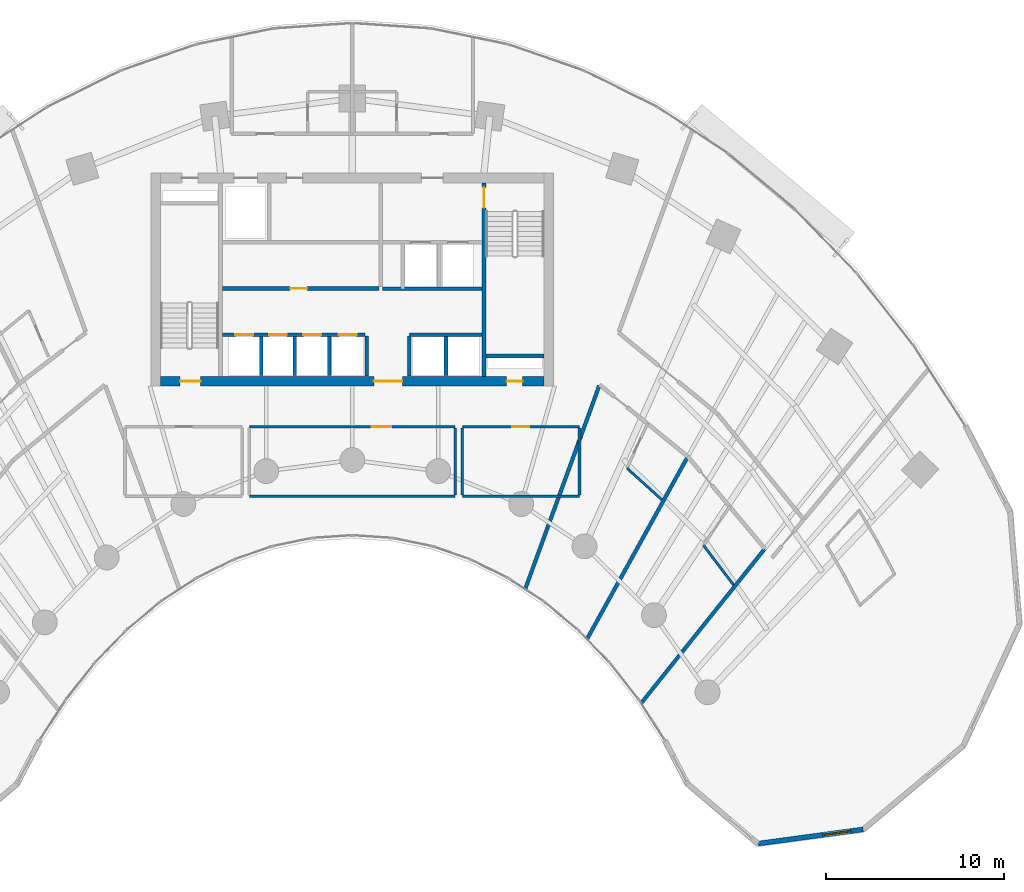
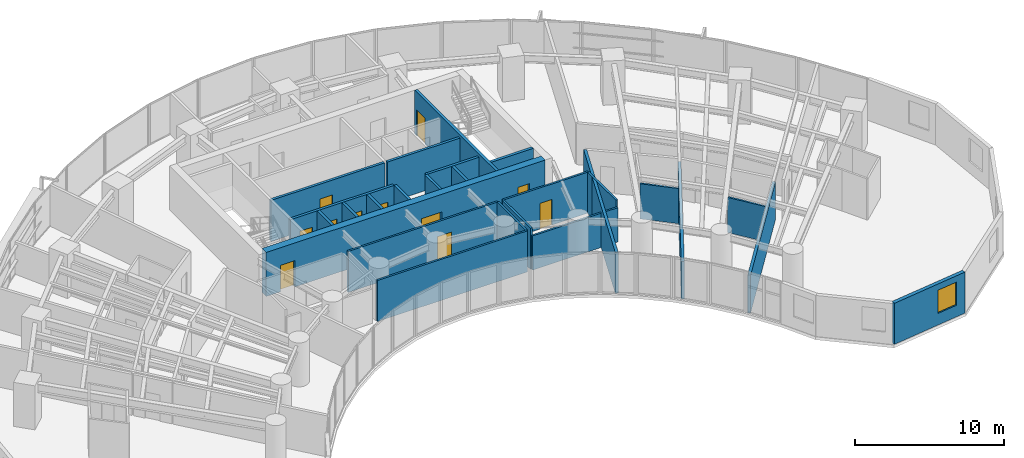
# One storey, part 12 of 17: 26 walls, 11 doors, 1 window, 12 openings.
"""IFC4 building model written with IfcOpenShell, lengths in metres."""

from ifc_helpers import new_model, si_unit, direction, frame, frame_2d, origin, place, context, subcontext, project, spatial, rectangle, extrude, source, transform, mapped, material, layer, layer_set, type_object, type_shapes, element, fill, save


model = new_model("IFC4")

# Units and contexts
model_context = context("Model", 3, precision=1e-05, world=origin(), true_north=direction((0.0, 1.0)))
body_context = subcontext(model_context, "Body", "Model", "MODEL_VIEW")
ifc_project = project(units=[si_unit("LENGTHUNIT", "METRE"), si_unit("AREAUNIT", "SQUARE_METRE"), si_unit("VOLUMEUNIT", "CUBIC_METRE"), si_unit("PLANEANGLEUNIT", "RADIAN"), si_unit("MASSUNIT", "GRAM", prefix="KILO")], contexts=[model_context])

# Site, building, storey
site_placement = place(None, origin())
site = spatial("IfcSite", under=ifc_project, at=site_placement, CompositionType="ELEMENT")
building_placement = place(site_placement, origin())
building = spatial("IfcBuilding", under=site, at=building_placement, Name="Breltana Convention Tower", CompositionType="ELEMENT")
storey_placement = place(building_placement, frame((0.0, 0.0, 67.800048828125)))
storey = spatial("IfcBuildingStorey", under=building, at=storey_placement, Name="L15", CompositionType="ELEMENT", Elevation=67.800048828125)

# Wall, openings, doors
ifc_material_1 = material(Name="Concrete C60/75", Category="concrete")
ifc_layer_1 = layer(ifc_material_1, 0.550048828125, Name="Concrete C60/75")
ifc_layer_set_1 = layer_set([ifc_layer_1], Name="Concrete C60/75")
wall_type_1 = type_object("IfcWallType", Name="SW-CORE-550", PredefinedType="SHEAR", material=ifc_layer_set_1)
shared_shape_1 = source(origin(), body_context, "Body", "SweptSolid", [
    extrude(rectangle(XDim=21.60009765625, YDim=0.550048828125, at=frame_2d((10.800048828125, 0.0))), origin(), (0.0, 0.0, 1.0), 3.599853515625),
])
wall_1_placement = place(storey_placement, frame((37.199951171875, 60.47509765625, 0.0), z_axis=(0.0, 0.0, 1.0), x_axis=(1.0, 0.0, 0.0)))
wall_1 = element("IfcWall", 1, at=wall_1_placement, inside=storey, type_object=wall_type_1, Name="L15 South Core Shear Wall", PredefinedType="SHEAR", context=body_context, shape_type="MappedRepresentation", body=[
    mapped(shared_shape_1, transform((0.0, 0.0, 0.0), scale=1.0)),
])
opening_1_placement = place(wall_1_placement, frame((1.10009765625, 0.0, 0.0)))
opening_1 = element("IfcOpeningElement", 2, at=opening_1_placement, cuts=wall_1, Name="Opening D-11", PredefinedType="OPENING", context=body_context, shape_type="SweptSolid", body=[
    extrude(rectangle(XDim=1.14990234375, YDim=2.14990234375, at=frame_2d((0.574951171875, 1.074951171875))), frame((0.0, 0.28515625, 0.0), z_axis=(0.0, -1.0, 0.0), x_axis=(1.0, 0.0, 0.0)), (0.0, 0.0, 1.0), 0.570068359375),
])
opening_2_placement = place(wall_1_placement, frame((19.5, 0.0, 0.0)))
opening_2 = element("IfcOpeningElement", 3, at=opening_2_placement, cuts=wall_1, Name="Opening D-18", PredefinedType="OPENING", context=body_context, shape_type="SweptSolid", body=[
    extrude(rectangle(XDim=0.89990234375, YDim=2.10009765625, at=frame_2d((0.449951171875, 1.050048828125))), frame((0.0, 0.28515625, 0.0), z_axis=(0.0, -1.0, 0.0), x_axis=(1.0, 0.0, 0.0)), (0.0, 0.0, 1.0), 0.570068359375),
])
opening_3_placement = place(wall_1_placement, frame((12.02001953125, 0.0, 0.0)))
opening_3 = element("IfcOpeningElement", 4, at=opening_3_placement, cuts=wall_1, Name="Opening D-02", PredefinedType="OPENING", context=body_context, shape_type="SweptSolid", body=[
    extrude(rectangle(XDim=1.60009765625, YDim=2.14990234375, at=frame_2d((0.800048828125, 1.074951171875))), frame((0.0, 0.28515625, 0.0), z_axis=(0.0, -1.0, 0.0), x_axis=(1.0, 0.0, 0.0)), (0.0, 0.0, 1.0), 0.570068359375),
])
ifc_material_2 = material(Name="Steel Stair Exit Door", Category="steel")
door_type_1 = type_object("IfcDoorType", Name="DR-FD120-1150", OperationType="NOTDEFINED", PredefinedType="DOOR", material=ifc_material_2)
shared_shape_2 = source(origin(), body_context, "Body", "SweptSolid", [
    extrude(rectangle(XDim=1.14990234375, YDim=2.14990234375, at=frame_2d((0.574951171875, 1.074951171875))), frame((0.0, 0.02490234375, 0.0), z_axis=(0.0, -1.0, 0.0), x_axis=(1.0, 0.0, 0.0)), (0.0, 0.0, 1.0), 0.050048828125),
])
type_shapes(door_type_1, [shared_shape_2])
door_1_placement = place(opening_1_placement, origin())
door_1 = element("IfcDoor", 5, at=door_1_placement, inside=storey, type_object=door_type_1, Name="L15 interior door D-L15-ST1", OperationType="SINGLE_SWING_LEFT", OverallHeight=2.14990234375, OverallWidth=1.14990234375, PredefinedType="DOOR", context=body_context, shape_type="MappedRepresentation", body=[
    mapped(shared_shape_2, transform((0.0, 0.0, 0.0), scale=1.0)),
])
fill(opening_1, door_1)
ifc_material_3 = material(Name="Steel Riser Fire Door", Category="steel")
door_type_2 = type_object("IfcDoorType", Name="DR-FD60-900", OperationType="NOTDEFINED", PredefinedType="DOOR", material=ifc_material_3)
shared_shape_3 = source(origin(), body_context, "Body", "SweptSolid", [
    extrude(rectangle(XDim=0.89990234375, YDim=2.10009765625, at=frame_2d((0.449951171875, 1.050048828125))), frame((0.0, 0.02490234375, 0.0), z_axis=(0.0, -1.0, 0.0), x_axis=(1.0, 0.0, 0.0)), (0.0, 0.0, 1.0), 0.050048828125),
])
type_shapes(door_type_2, [shared_shape_3])
door_2_placement = place(opening_2_placement, origin())
door_2 = element("IfcDoor", 6, at=door_2_placement, inside=storey, type_object=door_type_2, Name="L15 Core Riser Access Door D-L15-RS2", OperationType="SINGLE_SWING_RIGHT", OverallHeight=2.10009765625, OverallWidth=0.89990234375, PredefinedType="DOOR", context=body_context, shape_type="MappedRepresentation", body=[
    mapped(shared_shape_3, transform((0.0, 0.0, 0.0), scale=1.0)),
])
fill(opening_2, door_2)
ifc_material_4 = material(Name="Steel Glazed Smoke-Control Door", Category="steel")
door_type_3 = type_object("IfcDoorType", Name="DR-DBL-FD90-1600", OperationType="DOUBLE_DOOR_SINGLE_SWING", PredefinedType="DOOR", material=ifc_material_4)
shared_shape_4 = source(origin(), body_context, "Body", "SweptSolid", [
    extrude(rectangle(XDim=1.60009765625, YDim=2.14990234375, at=frame_2d((0.800048828125, 1.074951171875))), frame((0.0, 0.02490234375, 0.0), z_axis=(0.0, -1.0, 0.0), x_axis=(1.0, 0.0, 0.0)), (0.0, 0.0, 1.0), 0.050048828125),
])
type_shapes(door_type_3, [shared_shape_4])
door_3_placement = place(opening_3_placement, origin())
door_3 = element("IfcDoor", 7, at=door_3_placement, inside=storey, type_object=door_type_3, Name="L15 interior door D-L15-LLB-S", OperationType="DOUBLE_DOOR_SINGLE_SWING", OverallHeight=2.14990234375, OverallWidth=1.60009765625, PredefinedType="DOOR", context=body_context, shape_type="MappedRepresentation", body=[
    mapped(shared_shape_4, transform((0.0, 0.0, 0.0), scale=1.0)),
])
fill(opening_3, door_3)

# Wall
ifc_material_5 = material(Name="Concrete C50/60", Category="concrete")
ifc_layer_2 = layer(ifc_material_5, 0.39990234375, Name="Concrete C50/60")
ifc_layer_set_2 = layer_set([ifc_layer_2], Name="Concrete C50/60")
wall_type_2 = type_object("IfcWallType", Name="SW-CORE-400", PredefinedType="SHEAR", material=ifc_layer_set_2)
shared_shape_5 = source(origin(), body_context, "Body", "SweptSolid", [
    extrude(rectangle(XDim=3.27001953125, YDim=0.219970703125, at=frame_2d((1.635009765625, 0.0))), origin(), (0.0, 0.0, 1.0), 3.599853515625),
])
wall_2_placement = place(storey_placement, frame((55.530029296875, 61.889892578125, 0.0), z_axis=(0.0, 0.0, 1.0), x_axis=(1.0, 0.0, 0.0)))
element("IfcWall", 8, at=wall_2_placement, inside=storey, type_object=wall_type_2, Name="L15 ST-2 Stairwell South Bearing Wall", PredefinedType="SHEAR", context=body_context, shape_type="MappedRepresentation", body=[
    mapped(shared_shape_5, transform((0.0, 0.0, 0.0), scale=1.0)),
])

# Wall, opening, door
shared_shape_6 = source(origin(), body_context, "Body", "SweptSolid", [
    extrude(rectangle(XDim=10.89990234375, YDim=0.219970703125, at=frame_2d((5.449951171875, 0.0))), origin(), (0.0, 0.0, 1.0), 3.599853515625),
])
wall_3_placement = place(storey_placement, frame((55.419921875, 60.75, 0.0), z_axis=(0.0, 0.0, 1.0), x_axis=(0.0, 1.0, 0.0)))
wall_3 = element("IfcWall", 9, at=wall_3_placement, inside=storey, type_object=wall_type_2, Name="L15 Core East Stair Spine Wall", PredefinedType="SHEAR", context=body_context, shape_type="MappedRepresentation", body=[
    mapped(shared_shape_6, transform((0.0, 0.0, 0.0), scale=1.0)),
])
opening_4_placement = place(wall_3_placement, frame((9.4951171875, 0.0, 0.0)))
opening_4 = element("IfcOpeningElement", 10, at=opening_4_placement, cuts=wall_3, Name="Opening D-11", PredefinedType="OPENING", context=body_context, shape_type="SweptSolid", body=[
    extrude(rectangle(XDim=1.14990234375, YDim=2.14990234375, at=frame_2d((0.574951171875, 1.074951171875))), frame((0.0, 0.1201171875, 0.0), z_axis=(0.0, -1.0, 0.0), x_axis=(1.0, 0.0, 0.0)), (0.0, 0.0, 1.0), 0.239990234375),
])
door_4_placement = place(opening_4_placement, origin())
door_4 = element("IfcDoor", 11, at=door_4_placement, inside=storey, type_object=door_type_1, Name="L15 interior door D-L15-ST2", OperationType="SINGLE_SWING_LEFT", OverallHeight=2.14990234375, OverallWidth=1.14990234375, PredefinedType="DOOR", context=body_context, shape_type="MappedRepresentation", body=[
    mapped(shared_shape_2, transform((0.0, 0.0, 0.0), scale=1.0)),
])
fill(opening_4, door_4)

# Wall, opening, window
ifc_material_6 = material(Name="Limestone Buff Insulated Wall", Category="masonry")
ifc_layer_3 = layer(ifc_material_6, 0.280029296875, Name="Limestone Buff Insulated Wall")
ifc_layer_set_3 = layer_set([ifc_layer_3], Name="Limestone Buff Insulated Wall")
wall_type_3 = type_object("IfcWallType", Name="WL-EXT-NOSE-280", PredefinedType="SOLIDWALL", material=ifc_layer_set_3)
shared_shape_7 = source(origin(), body_context, "Body", "SweptSolid", [
    extrude(rectangle(XDim=5.96728515625, YDim=0.280029296875, at=frame_2d((2.983642578125, 0.0))), origin(), (0.0, 0.0, 1.0), 3.35986328125),
])
wall_4_placement = place(storey_placement, frame((76.77734375, 35.226806640625, 0.0), z_axis=(0.0, 0.0, 1.0), x_axis=(-0.990927009341, -0.134401124099, 0.0)))
wall_4 = element("IfcWall", 12, at=wall_4_placement, inside=storey, type_object=wall_type_3, Name="L15 curved limestone nose wall E4", PredefinedType="SOLIDWALL", context=body_context, shape_type="MappedRepresentation", body=[
    mapped(shared_shape_7, transform((0.0, 0.0, 0.0), scale=1.0)),
])
opening_5_placement = place(wall_4_placement, frame((0.69189453125, 0.0, 0.949951171875)))
opening_5 = element("IfcOpeningElement", 13, at=opening_5_placement, cuts=wall_4, Name="Opening W-04", PredefinedType="OPENING", context=body_context, shape_type="SweptSolid", body=[
    extrude(rectangle(XDim=1.60009765625, YDim=1.89990234375, at=frame_2d((0.800048828125, 0.949951171875))), frame((0.0, 0.14990234375, 0.0), z_axis=(0.0, -1.0, 0.0), x_axis=(1.0, 0.0, 0.0)), (0.0, 0.0, 1.0), 0.300048828125),
])
ifc_material_7 = material(Name="Glass Low-E Insulated Window", Category="glass")
window_type = type_object("IfcWindowType", Name="WN-NOSE-1600X1900", PartitioningType="SINGLE_PANEL", PredefinedType="WINDOW", material=ifc_material_7)
shared_shape_8 = source(origin(), body_context, "Body", "SweptSolid", [
    extrude(rectangle(XDim=1.60009765625, YDim=1.89990234375, at=frame_2d((0.800048828125, 0.949951171875))), frame((0.0, 0.030029296875, 0.0), z_axis=(0.0, -1.0, 0.0), x_axis=(1.0, 0.0, 0.0)), (0.0, 0.0, 1.0), 0.06005859375),
])
type_shapes(window_type, [shared_shape_8])
window_placement = place(opening_5_placement, origin())
window = element("IfcWindow", 14, at=window_placement, inside=storey, type_object=window_type, Name="L15 nose window E4", OverallHeight=1.89990234375, OverallWidth=1.60009765625, PartitioningType="SINGLE_PANEL", PredefinedType="WINDOW", context=body_context, shape_type="MappedRepresentation", body=[
    mapped(shared_shape_8, transform((0.0, 0.0, 0.0), scale=1.0)),
])
fill(opening_5, window)

# Walls
ifc_material_8 = material(Name="Gypsum Acoustic Drywall Partition")
ifc_layer_4 = layer(ifc_material_8, 0.14990234375, Name="Gypsum Acoustic Drywall Partition")
ifc_layer_set_4 = layer_set([ifc_layer_4], Name="Gypsum Acoustic Drywall Partition")
wall_type_4 = type_object("IfcWallType", Name="WL-PART-150", PredefinedType="PARTITIONING", material=ifc_layer_set_4)
shared_shape_9 = source(origin(), body_context, "Body", "SweptSolid", [
    extrude(rectangle(XDim=6.60009765625, YDim=0.14990234375, at=frame_2d((3.300048828125, 0.0))), origin(), (0.0, 0.0, 1.0), 2.802978515625),
])
wall_5_placement = place(storey_placement, frame((54.199951171875, 54.0, 0.0), z_axis=(0.0, 0.0, 1.0), x_axis=(1.0, 0.0, 0.0)))
element("IfcWall", 15, at=wall_5_placement, inside=storey, type_object=wall_type_4, Name="L15 interior partition W-L15-HMT-S", PredefinedType="PARTITIONING", context=body_context, shape_type="MappedRepresentation", body=[
    mapped(shared_shape_9, transform((0.0, 0.0, 0.0), scale=1.0)),
])
ifc_material_9 = material(Name="Autoclaved Aerated Concrete Block", Category="concrete")
ifc_layer_5 = layer(ifc_material_9, 0.199951171875, Name="Autoclaved Aerated Concrete Block")
ifc_layer_set_5 = layer_set([ifc_layer_5], Name="Autoclaved Aerated Concrete Block")
wall_type_5 = type_object("IfcWallType", Name="WL-SHAFT-200", PredefinedType="SOLIDWALL", material=ifc_layer_set_5)
shared_shape_10 = source(origin(), body_context, "Body", "SweptSolid", [
    extrude(rectangle(XDim=2.239990234375, YDim=0.199951171875, at=frame_2d((1.1201171875, 0.0))), origin(), (0.0, 0.0, 1.0), 3.35986328125),
])
for number, where, z_axis, x_axis, name in (
    (16, (48.820068359375, 60.780029296875, 0.0), (0.0, 0.0, 1.0), (0.0, 1.0, 0.0), "L15 interior partition W-L15-PORT-W"),
    (17, (51.219970703125, 60.780029296875, 0.0), (0.0, 0.0, 1.0), (0.0, 1.0, 0.0), "L15 interior partition W-L15-PORT-E"),
):
    element("IfcWall", number, at=place(storey_placement, frame(where, z_axis=z_axis, x_axis=x_axis)), inside=storey, type_object=wall_type_5, Name=name, PredefinedType="SOLIDWALL", context=body_context, shape_type="MappedRepresentation", body=[
        mapped(shared_shape_10, transform((0.0, 0.0, 0.0), scale=1.0)),
    ])
shared_shape_11 = source(origin(), body_context, "Body", "SweptSolid", [
    extrude(rectangle(XDim=5.6201171875, YDim=0.199951171875, at=frame_2d((2.81005859375, 0.0))), origin(), (0.0, 0.0, 1.0), 3.35986328125),
])
wall_6_placement = place(storey_placement, frame((49.699951171875, 65.679931640625, 0.0), z_axis=(0.0, 0.0, 1.0), x_axis=(1.0, 0.0, 0.0)))
element("IfcWall", 18, at=wall_6_placement, inside=storey, type_object=wall_type_5, Name="L15 interior partition W-L15-FL-S", PredefinedType="SOLIDWALL", context=body_context, shape_type="MappedRepresentation", body=[
    mapped(shared_shape_11, transform((0.0, 0.0, 0.0), scale=1.0)),
])

# Wall, opening, door
shared_shape_12 = source(origin(), body_context, "Body", "SweptSolid", [
    extrude(rectangle(XDim=8.800048828125, YDim=0.199951171875, at=frame_2d((4.39990234375, 0.0))), origin(), (0.0, 0.0, 1.0), 3.35986328125),
])
wall_7_placement = place(storey_placement, frame((40.699951171875, 65.699951171875, 0.0), z_axis=(0.0, 0.0, 1.0), x_axis=(1.0, 0.0, 0.0)))
wall_7 = element("IfcWall", 19, at=wall_7_placement, inside=storey, type_object=wall_type_5, Name="L15 interior partition W-L15-SH-M-FRONT", PredefinedType="SOLIDWALL", context=body_context, shape_type="MappedRepresentation", body=[
    mapped(shared_shape_12, transform((0.0, 0.0, 0.0), scale=1.0)),
])
opening_6_placement = place(wall_7_placement, frame((3.800048828125, 0.0, 0.0)))
opening_6 = element("IfcOpeningElement", 20, at=opening_6_placement, cuts=wall_7, Name="Opening D-14", PredefinedType="OPENING", context=body_context, shape_type="SweptSolid", body=[
    extrude(rectangle(XDim=0.949951171875, YDim=2.14990234375, at=frame_2d((0.47509765625, 1.074951171875))), frame((0.0, 0.10986328125, 0.0), z_axis=(0.0, -1.0, 0.0), x_axis=(1.0, 0.0, 0.0)), (0.0, 0.0, 1.0), 0.219970703125),
])
ifc_material_10 = material(Name="Timber Solid-Core Fire Door", Category="wood")
door_type_4 = type_object("IfcDoorType", Name="DR-FD60-950", OperationType="NOTDEFINED", PredefinedType="DOOR", material=ifc_material_10)
shared_shape_13 = source(origin(), body_context, "Body", "SweptSolid", [
    extrude(rectangle(XDim=0.949951171875, YDim=2.14990234375, at=frame_2d((0.47509765625, 1.074951171875))), frame((0.0, 0.02490234375, 0.0), z_axis=(0.0, -1.0, 0.0), x_axis=(1.0, 0.0, 0.0)), (0.0, 0.0, 1.0), 0.050048828125),
])
type_shapes(door_type_4, [shared_shape_13])
door_5_placement = place(opening_6_placement, origin())
door_5 = element("IfcDoor", 21, at=door_5_placement, inside=storey, type_object=door_type_4, Name="L15 interior door D-L15-LV7-B2A", OperationType="SINGLE_SWING_RIGHT", OverallHeight=2.14990234375, OverallWidth=0.949951171875, PredefinedType="DOOR", context=body_context, shape_type="MappedRepresentation", body=[
    mapped(shared_shape_13, transform((0.0, 0.0, 0.0), scale=1.0)),
])
fill(opening_6, door_5)

# Wall, openings, doors
shared_shape_14 = source(origin(), body_context, "Body", "SweptSolid", [
    extrude(rectangle(XDim=8.02001953125, YDim=0.199951171875, at=frame_2d((4.010009765625, 0.0))), origin(), (0.0, 0.0, 1.0), 3.35986328125),
])
wall_8_placement = place(storey_placement, frame((40.699951171875, 63.10009765625, 0.0), z_axis=(0.0, 0.0, 1.0), x_axis=(1.0, 0.0, 0.0)))
wall_8 = element("IfcWall", 22, at=wall_8_placement, inside=storey, type_object=wall_type_5, Name="L15 interior partition W-L15-SH-S-FRONT", PredefinedType="SOLIDWALL", context=body_context, shape_type="MappedRepresentation", body=[
    mapped(shared_shape_14, transform((0.0, 0.0, 0.0), scale=1.0)),
])
opening_7_placement = place(wall_8_placement, frame((0.719970703125, 0.0, 0.0)))
opening_7 = element("IfcOpeningElement", 23, at=opening_7_placement, cuts=wall_8, Name="Opening LD-04", PredefinedType="OPENING", context=body_context, shape_type="SweptSolid", body=[
    extrude(rectangle(XDim=1.0, YDim=2.14990234375, at=frame_2d((0.5, 1.074951171875))), frame((0.0, 0.10986328125, 0.0), z_axis=(0.0, -1.0, 0.0), x_axis=(1.0, 0.0, 0.0)), (0.0, 0.0, 1.0), 0.219970703125),
])
opening_8_placement = place(wall_8_placement, frame((2.6201171875, 0.0, 0.0)))
opening_8 = element("IfcOpeningElement", 24, at=opening_8_placement, cuts=wall_8, Name="Opening LD-04", PredefinedType="OPENING", context=body_context, shape_type="SweptSolid", body=[
    extrude(rectangle(XDim=1.0, YDim=2.14990234375, at=frame_2d((0.5, 1.074951171875))), frame((0.0, 0.10986328125, 0.0), z_axis=(0.0, -1.0, 0.0), x_axis=(1.0, 0.0, 0.0)), (0.0, 0.0, 1.0), 0.219970703125),
])
opening_9_placement = place(wall_8_placement, frame((4.550048828125, 0.0, 0.0)))
opening_9 = element("IfcOpeningElement", 25, at=opening_9_placement, cuts=wall_8, Name="Opening LD-04", PredefinedType="OPENING", context=body_context, shape_type="SweptSolid", body=[
    extrude(rectangle(XDim=1.0, YDim=2.14990234375, at=frame_2d((0.5, 1.074951171875))), frame((0.0, 0.10986328125, 0.0), z_axis=(0.0, -1.0, 0.0), x_axis=(1.0, 0.0, 0.0)), (0.0, 0.0, 1.0), 0.219970703125),
])
opening_10_placement = place(wall_8_placement, frame((6.550048828125, 0.0, 0.0)))
opening_10 = element("IfcOpeningElement", 26, at=opening_10_placement, cuts=wall_8, Name="Opening LD-04", PredefinedType="OPENING", context=body_context, shape_type="SweptSolid", body=[
    extrude(rectangle(XDim=1.0, YDim=2.14990234375, at=frame_2d((0.5, 1.074951171875))), frame((0.0, 0.10986328125, 0.0), z_axis=(0.0, -1.0, 0.0), x_axis=(1.0, 0.0, 0.0)), (0.0, 0.0, 1.0), 0.219970703125),
])
ifc_material_11 = material(Name="Stainless Steel Brushed", Category="steel")
door_type_5 = type_object("IfcDoorType", Name="DR-LD-PAX-1000", OperationType="DOUBLE_DOOR_SLIDING", PredefinedType="DOOR", material=ifc_material_11)
shared_shape_15 = source(origin(), body_context, "Body", "SweptSolid", [
    extrude(rectangle(XDim=1.0, YDim=2.14990234375, at=frame_2d((0.5, 1.074951171875))), frame((0.0, 0.02490234375, 0.0), z_axis=(0.0, -1.0, 0.0), x_axis=(1.0, 0.0, 0.0)), (0.0, 0.0, 1.0), 0.050048828125),
])
type_shapes(door_type_5, [shared_shape_15])
door_6_placement = place(opening_7_placement, origin())
door_6 = element("IfcDoor", 27, at=door_6_placement, inside=storey, type_object=door_type_5, Name="L15 Lift Landing Door D-L15-LD-S1", OperationType="DOUBLE_DOOR_SLIDING", OverallHeight=2.14990234375, OverallWidth=1.0, PredefinedType="DOOR", context=body_context, shape_type="MappedRepresentation", body=[
    mapped(shared_shape_15, transform((0.0, 0.0, 0.0), scale=1.0)),
])
fill(opening_7, door_6)
door_7_placement = place(opening_8_placement, origin())
door_7 = element("IfcDoor", 28, at=door_7_placement, inside=storey, type_object=door_type_5, Name="L15 Lift Landing Door D-L15-LD-S2", OperationType="DOUBLE_DOOR_SLIDING", OverallHeight=2.14990234375, OverallWidth=1.0, PredefinedType="DOOR", context=body_context, shape_type="MappedRepresentation", body=[
    mapped(shared_shape_15, transform((0.0, 0.0, 0.0), scale=1.0)),
])
fill(opening_8, door_7)
door_8_placement = place(opening_9_placement, origin())
door_8 = element("IfcDoor", 29, at=door_8_placement, inside=storey, type_object=door_type_5, Name="L15 Lift Landing Door D-L15-LD-S3", OperationType="DOUBLE_DOOR_SLIDING", OverallHeight=2.14990234375, OverallWidth=1.0, PredefinedType="DOOR", context=body_context, shape_type="MappedRepresentation", body=[
    mapped(shared_shape_15, transform((0.0, 0.0, 0.0), scale=1.0)),
])
fill(opening_9, door_8)
door_9_placement = place(opening_10_placement, origin())
door_9 = element("IfcDoor", 30, at=door_9_placement, inside=storey, type_object=door_type_5, Name="L15 Lift Landing Door D-L15-LD-S4", OperationType="DOUBLE_DOOR_SLIDING", OverallHeight=2.14990234375, OverallWidth=1.0, PredefinedType="DOOR", context=body_context, shape_type="MappedRepresentation", body=[
    mapped(shared_shape_15, transform((0.0, 0.0, 0.0), scale=1.0)),
])
fill(opening_10, door_9)

# Walls
shared_shape_16 = source(origin(), body_context, "Body", "SweptSolid", [
    extrude(rectangle(XDim=4.10009765625, YDim=0.199951171875, at=frame_2d((2.050048828125, 0.0))), origin(), (0.0, 0.0, 1.0), 3.35986328125),
])
wall_9_placement = place(storey_placement, frame((51.219970703125, 63.10009765625, 0.0), z_axis=(0.0, 0.0, 1.0), x_axis=(1.0, 0.0, 0.0)))
element("IfcWall", 31, at=wall_9_placement, inside=storey, type_object=wall_type_5, Name="L15 interior partition W-L15-SH-X-FRONT", PredefinedType="SOLIDWALL", context=body_context, shape_type="MappedRepresentation", body=[
    mapped(shared_shape_16, transform((0.0, 0.0, 0.0), scale=1.0)),
])
shared_shape_17 = source(origin(), body_context, "Body", "SweptSolid", [
    extrude(rectangle(XDim=2.199951171875, YDim=0.199951171875, at=frame_2d((1.10009765625, 0.0))), origin(), (0.0, 0.0, 1.0), 3.35986328125),
])
for number, where, z_axis, x_axis, name in (
    (32, (42.8701171875, 60.800048828125, 0.0), (0.0, 0.0, 1.0), (0.0, 1.0, 0.0), "L15 interior partition W-L15-SH-S-DIV1"),
    (33, (44.77001953125, 60.800048828125, 0.0), (0.0, 0.0, 1.0), (0.0, 1.0, 0.0), "L15 interior partition W-L15-SH-S-DIV2"),
    (34, (46.699951171875, 60.800048828125, 0.0), (0.0, 0.0, 1.0), (0.0, 1.0, 0.0), "L15 interior partition W-L15-SH-S-DIV3"),
    (35, (53.280029296875, 60.800048828125, 0.0), (0.0, 0.0, 1.0), (0.0, 1.0, 0.0), "L15 interior partition W-L15-SH-X-DIV"),
):
    element("IfcWall", number, at=place(storey_placement, frame(where, z_axis=z_axis, x_axis=x_axis)), inside=storey, type_object=wall_type_5, Name=name, PredefinedType="SOLIDWALL", context=body_context, shape_type="MappedRepresentation", body=[
        mapped(shared_shape_17, transform((0.0, 0.0, 0.0), scale=1.0)),
    ])

# Wall, opening, door
shared_shape_18 = source(origin(), body_context, "Body", "SweptSolid", [
    extrude(rectangle(XDim=6.60009765625, YDim=0.14990234375, at=frame_2d((3.300048828125, 0.0))), origin(), (0.0, 0.0, 1.0), 3.35986328125),
])
wall_10_placement = place(storey_placement, frame((54.199951171875, 57.919921875, 0.0), z_axis=(0.0, 0.0, 1.0), x_axis=(1.0, 0.0, 0.0)))
wall_10 = element("IfcWall", 36, at=wall_10_placement, inside=storey, type_object=wall_type_4, Name="L15 interior partition W-L15-HMT-N", PredefinedType="PARTITIONING", context=body_context, shape_type="MappedRepresentation", body=[
    mapped(shared_shape_18, transform((0.0, 0.0, 0.0), scale=1.0)),
])
opening_11_placement = place(wall_10_placement, frame((2.824951171875, 0.0, 0.0)))
opening_11 = element("IfcOpeningElement", 37, at=opening_11_placement, cuts=wall_10, Name="Opening D-17", PredefinedType="OPENING", context=body_context, shape_type="SweptSolid", body=[
    extrude(rectangle(XDim=0.949951171875, YDim=2.10009765625, at=frame_2d((0.47509765625, 1.050048828125))), frame((0.0, 0.0849609375, 0.0), z_axis=(0.0, -1.0, 0.0), x_axis=(1.0, 0.0, 0.0)), (0.0, 0.0, 1.0), 0.169921875),
])
ifc_material_12 = material(Name="Timber Oak Veneer Door", Category="wood")
door_type_6 = type_object("IfcDoorType", Name="DR-INT-950", OperationType="NOTDEFINED", PredefinedType="DOOR", material=ifc_material_12)
shared_shape_19 = source(origin(), body_context, "Body", "SweptSolid", [
    extrude(rectangle(XDim=0.949951171875, YDim=2.10009765625, at=frame_2d((0.47509765625, 1.050048828125))), frame((0.0, 0.02490234375, 0.0), z_axis=(0.0, -1.0, 0.0), x_axis=(1.0, 0.0, 0.0)), (0.0, 0.0, 1.0), 0.050048828125),
])
type_shapes(door_type_6, [shared_shape_19])
door_10_placement = place(opening_11_placement, origin())
door_10 = element("IfcDoor", 38, at=door_10_placement, inside=storey, type_object=door_type_6, Name="L15 interior door D-L15-HMT", OperationType="SINGLE_SWING_LEFT", OverallHeight=2.10009765625, OverallWidth=0.949951171875, PredefinedType="DOOR", context=body_context, shape_type="MappedRepresentation", body=[
    mapped(shared_shape_19, transform((0.0, 0.0, 0.0), scale=1.0)),
])
fill(opening_11, door_10)

# Walls
shared_shape_20 = source(origin(), body_context, "Body", "SweptSolid", [
    extrude(rectangle(XDim=3.78515625, YDim=0.14990234375, at=frame_2d((1.892578125, 0.0))), origin(), (0.0, 0.0, 1.0), 3.35986328125),
])
for number, where, z_axis, x_axis, name in (
    (39, (53.800048828125, 54.0673828125, 0.0), (0.0, 0.0, 1.0), (0.0, 1.0, 0.0), "L15 interior partition W-L15-HLG-E"),
    (40, (54.199951171875, 54.0673828125, 0.0), (0.0, 0.0, 1.0), (0.0, 1.0, 0.0), "L15 interior partition W-L15-HMT-W"),
    (41, (60.800048828125, 54.0673828125, 0.0), (0.0, 0.0, 1.0), (0.0, 1.0, 0.0), "L15 interior partition W-L15-HMT-E"),
):
    element("IfcWall", number, at=place(storey_placement, frame(where, z_axis=z_axis, x_axis=x_axis)), inside=storey, type_object=wall_type_4, Name=name, PredefinedType="PARTITIONING", context=body_context, shape_type="MappedRepresentation", body=[
        mapped(shared_shape_20, transform((0.0, 0.0, 0.0), scale=1.0)),
    ])
shared_shape_21 = source(origin(), body_context, "Body", "SweptSolid", [
    extrude(rectangle(XDim=11.60009765625, YDim=0.14990234375, at=frame_2d((5.800048828125, 0.0))), origin(), (0.0, 0.0, 1.0), 3.35986328125),
])
wall_11_placement = place(storey_placement, frame((42.199951171875, 54.0, 0.0), z_axis=(0.0, 0.0, 1.0), x_axis=(1.0, 0.0, 0.0)))
element("IfcWall", 42, at=wall_11_placement, inside=storey, type_object=wall_type_4, Name="L15 interior partition W-L15-HLG-S", PredefinedType="PARTITIONING", context=body_context, shape_type="MappedRepresentation", body=[
    mapped(shared_shape_21, transform((0.0, 0.0, 0.0), scale=1.0)),
])

# Wall, opening, door
wall_12_placement = place(storey_placement, frame((42.199951171875, 57.919921875, 0.0), z_axis=(0.0, 0.0, 1.0), x_axis=(1.0, 0.0, 0.0)))
wall_12 = element("IfcWall", 43, at=wall_12_placement, inside=storey, type_object=wall_type_4, Name="L15 interior partition W-L15-HLG-N", PredefinedType="PARTITIONING", context=body_context, shape_type="MappedRepresentation", body=[
    mapped(shared_shape_21, transform((0.0, 0.0, 0.0), scale=1.0)),
])
opening_12_placement = place(wall_12_placement, frame((6.89990234375, 0.0, 0.0)))
opening_12 = element("IfcOpeningElement", 44, at=opening_12_placement, cuts=wall_12, Name="Opening D-12", PredefinedType="OPENING", context=body_context, shape_type="SweptSolid", body=[
    extrude(rectangle(XDim=1.10009765625, YDim=2.14990234375, at=frame_2d((0.550048828125, 1.074951171875))), frame((0.0, 0.0849609375, 0.0), z_axis=(0.0, -1.0, 0.0), x_axis=(1.0, 0.0, 0.0)), (0.0, 0.0, 1.0), 0.169921875),
])
ifc_material_13 = material(Name="Timber Oak Acoustic Door", Category="wood")
door_type_7 = type_object("IfcDoorType", Name="DR-INT-1100", OperationType="NOTDEFINED", PredefinedType="DOOR", material=ifc_material_13)
shared_shape_22 = source(origin(), body_context, "Body", "SweptSolid", [
    extrude(rectangle(XDim=1.10009765625, YDim=2.14990234375, at=frame_2d((0.550048828125, 1.074951171875))), frame((0.0, 0.02490234375, 0.0), z_axis=(0.0, -1.0, 0.0), x_axis=(1.0, 0.0, 0.0)), (0.0, 0.0, 1.0), 0.050048828125),
])
type_shapes(door_type_7, [shared_shape_22])
door_11_placement = place(opening_12_placement, origin())
door_11 = element("IfcDoor", 45, at=door_11_placement, inside=storey, type_object=door_type_7, Name="L15 interior door D-L15-HLG", OperationType="SINGLE_SWING_RIGHT", OverallHeight=2.14990234375, OverallWidth=1.10009765625, PredefinedType="DOOR", context=body_context, shape_type="MappedRepresentation", body=[
    mapped(shared_shape_22, transform((0.0, 0.0, 0.0), scale=1.0)),
])
fill(opening_12, door_11)

# Walls
ifc_material_14 = material(Name="Autoclaved Aerated Masonry Blockwork", Category="masonry")
ifc_layer_6 = layer(ifc_material_14, 0.2099609375, Name="Autoclaved Aerated Masonry Blockwork")
ifc_layer_set_6 = layer_set([ifc_layer_6], Name="Autoclaved Aerated Masonry Blockwork")
wall_type_6 = type_object("IfcWallType", Name="WL-PART-200", PredefinedType="PARTITIONING", material=ifc_layer_set_6)
shared_shape_23 = source(origin(), body_context, "Body", "SweptSolid", [
    extrude(rectangle(XDim=12.1962890625, YDim=0.2099609375, at=frame_2d((6.09814453125, 0.0))), origin(), (0.0, 0.0, 1.0), 3.35986328125),
])
wall_13_placement = place(storey_placement, frame((57.742431640625, 48.766357421875, 0.0), z_axis=(0.0, 0.0, 1.0), x_axis=(0.342022711534, 0.939691686031, 0.0)))
element("IfcWall", 46, at=wall_13_placement, inside=storey, type_object=wall_type_6, Name="L15 interior partition W-L15-ST04-RA", PredefinedType="PARTITIONING", context=body_context, shape_type="MappedRepresentation", body=[
    mapped(shared_shape_23, transform((0.0, 0.0, 0.0), scale=1.0)),
])
shared_shape_24 = source(origin(), body_context, "Body", "SweptSolid", [
    extrude(rectangle(XDim=11.69189453125, YDim=0.2099609375, at=frame_2d((5.845947265625, 0.0))), origin(), (0.0, 0.0, 1.0), 3.093017578125),
])
wall_14_placement = place(storey_placement, frame((61.227783203125, 45.9541015625, 0.0), z_axis=(0.0, 0.0, 1.0), x_axis=(0.483398579324, 0.875400373262, 0.0)))
element("IfcWall", 47, at=wall_14_placement, inside=storey, type_object=wall_type_6, Name="L15 interior partition W-L15-ST04-RB", PredefinedType="PARTITIONING", context=body_context, shape_type="MappedRepresentation", body=[
    mapped(shared_shape_24, transform((0.0, 0.0, 0.0), scale=1.0)),
])
ifc_material_15 = material(Name="Moisture-Resistant En-Suite Partition")
ifc_layer_7 = layer(ifc_material_15, 0.139892578125, Name="Moisture-Resistant En-Suite Partition")
ifc_layer_set_7 = layer_set([ifc_layer_7], Name="Moisture-Resistant En-Suite Partition")
wall_type_7 = type_object("IfcWallType", Name="WL-WET-150", PredefinedType="PARTITIONING", material=ifc_layer_set_7)
shared_shape_25 = source(origin(), body_context, "Body", "SweptSolid", [
    extrude(rectangle(XDim=2.6533203125, YDim=0.139892578125, at=frame_2d((1.32666015625, 0.0))), origin(), (0.0, 0.0, 1.0), 2.876953125),
])
wall_15_placement = place(storey_placement, frame((63.47509765625, 55.57568359375, 0.0), z_axis=(0.0, 0.0, 1.0), x_axis=(0.741731938744, -0.67069645224, 0.0)))
element("IfcWall", 48, at=wall_15_placement, inside=storey, type_object=wall_type_7, Name="L15 interior partition W-L15-ST04E-BK", PredefinedType="PARTITIONING", context=body_context, shape_type="MappedRepresentation", body=[
    mapped(shared_shape_25, transform((0.0, 0.0, 0.0), scale=1.0)),
])
shared_shape_26 = source(origin(), body_context, "Body", "SweptSolid", [
    extrude(rectangle(XDim=11.095458984375, YDim=0.2099609375, at=frame_2d((5.5478515625, 0.0))), origin(), (0.0, 0.0, 1.0), 3.093017578125),
])
wall_16_placement = place(storey_placement, frame((64.280517578125, 42.343505859375, 0.0), z_axis=(0.0, 0.0, 1.0), x_axis=(0.6248131083, 0.780774346208, 0.0)))
element("IfcWall", 49, at=wall_16_placement, inside=storey, type_object=wall_type_6, Name="L15 interior partition W-L15-ST05-RB", PredefinedType="PARTITIONING", context=body_context, shape_type="MappedRepresentation", body=[
    mapped(shared_shape_26, transform((0.0, 0.0, 0.0), scale=1.0)),
])
shared_shape_27 = source(origin(), body_context, "Body", "SweptSolid", [
    extrude(rectangle(XDim=2.800048828125, YDim=0.139892578125, at=frame_2d((1.39990234375, 0.0))), origin(), (0.0, 0.0, 1.0), 2.876953125),
])
wall_17_placement = place(storey_placement, frame((67.7822265625, 51.234375, 0.0), z_axis=(0.0, 0.0, 1.0), x_axis=(0.604607833789, -0.796523299923, 0.0)))
element("IfcWall", 50, at=wall_17_placement, inside=storey, type_object=wall_type_7, Name="L15 interior partition W-L15-ST05E-BK", PredefinedType="PARTITIONING", context=body_context, shape_type="MappedRepresentation", body=[
    mapped(shared_shape_27, transform((0.0, 0.0, 0.0), scale=1.0)),
])

save(model, "model.ifc")
